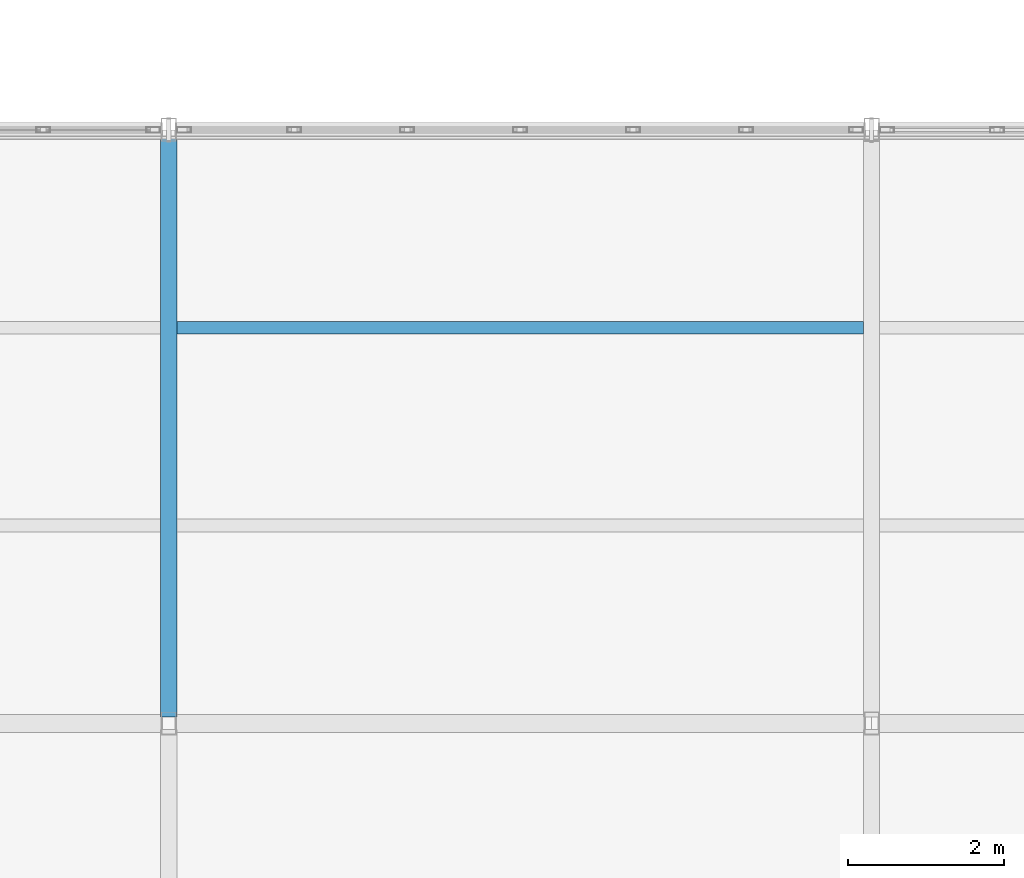
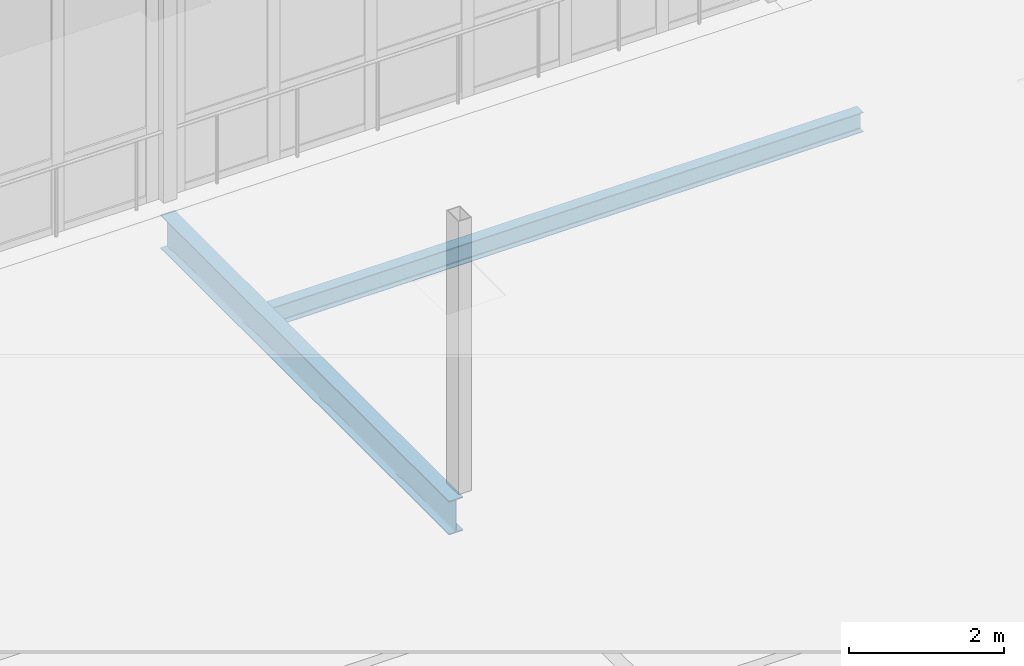
# One storey, part 44 of 166: 2 beams.
"""IFC4 building model written with IfcOpenShell, lengths in metres."""

from ifc_helpers import new_model, si_unit, direction, frame, origin, origin_2d, place, context, subcontext, project, spatial, i_section, extrude, material, material_profile, profile_set, type_object, element, save


model = new_model("IFC4")

# Units and contexts
model_context = context("Model", 3, precision=1e-05, world=origin(), true_north=direction((0.0, 1.0)))
body_context = subcontext(model_context, "Body", "Model", "MODEL_VIEW")
ifc_project = project(units=[si_unit("LENGTHUNIT", "METRE"), si_unit("AREAUNIT", "SQUARE_METRE"), si_unit("VOLUMEUNIT", "CUBIC_METRE"), si_unit("PLANEANGLEUNIT", "RADIAN"), si_unit("MASSUNIT", "GRAM", prefix="KILO")], contexts=[model_context])

# Site, building, storey
site_placement = place(None, origin())
site = spatial("IfcSite", under=ifc_project, at=site_placement, CompositionType="ELEMENT")
building_placement = place(site_placement, origin())
building = spatial("IfcBuilding", under=site, at=building_placement, Name="Caisbarro Railhouse Central Library", CompositionType="ELEMENT")
storey_placement = place(building_placement, frame((0.0, 0.0, 9.360107421875)))
storey = spatial("IfcBuildingStorey", under=building, at=storey_placement, Name="L02", CompositionType="ELEMENT", Elevation=9.360107421875)

# Beams
ifc_material = material(Name="Steel ASTM A572 Grade 50", Category="steel")
ifc_material_profile_1 = material_profile(ifc_material, i_section(OverallWidth=0.208984375, OverallDepth=0.532958984375, WebThickness=0.01025390625, FlangeThickness=0.015625, FilletRadius=0.02001953125, at=origin_2d()), Name="W530X92.0")
ifc_profile_set_1 = profile_set([ifc_material_profile_1], Name="Steel ASTM A572 Grade 50")
beam_type_1 = type_object("IfcBeamType", Name="BM-G06", PredefinedType="BEAM", material=ifc_profile_set_1)
beam_1_placement = place(storey_placement, frame((9.0, 53.280029296875, -0.486572265625), z_axis=(0.0, 1.0, 0.0), x_axis=(-1.0, 0.0, 0.0)))
element("IfcBeam", 1, at=beam_1_placement, inside=storey, type_object=beam_type_1, Name="G06 beam L02 #1395", PredefinedType="BEAM", context=body_context, shape_type="SweptSolid", body=[
    extrude(i_section(OverallWidth=0.208984375, OverallDepth=0.532958984375, WebThickness=0.01025390625, FlangeThickness=0.015625, FilletRadius=0.02001953125, at=origin_2d()), origin(), (0.0, 0.0, 1.0), 7.43994140625),
])
ifc_material_profile_2 = material_profile(ifc_material, i_section(OverallWidth=0.1650390625, OverallDepth=0.31005859375, WebThickness=0.005859375, FlangeThickness=0.009765625, FilletRadius=0.011962890625, at=origin_2d()), Name="W310X38.7")
ifc_profile_set_2 = profile_set([ifc_material_profile_2], Name="Steel ASTM A572 Grade 50")
beam_type_2 = type_object("IfcBeamType", Name="BM-J03", PredefinedType="JOIST", material=ifc_profile_set_2)
beam_2_placement = place(storey_placement, frame((9.1044921875, 58.2666015625, -0.375), z_axis=(1.0, 0.0, 0.0), x_axis=(0.0, 1.0, 0.0)))
element("IfcBeam", 2, at=beam_2_placement, inside=storey, type_object=beam_type_2, Name="J03 beam L02 #1433", PredefinedType="JOIST", context=body_context, shape_type="SweptSolid", body=[
    extrude(i_section(OverallWidth=0.1650390625, OverallDepth=0.31005859375, WebThickness=0.005859375, FlangeThickness=0.009765625, FilletRadius=0.011962890625, at=origin_2d()), origin(), (0.0, 0.0, 1.0), 8.791015625),
])

save(model, "model.ifc")
